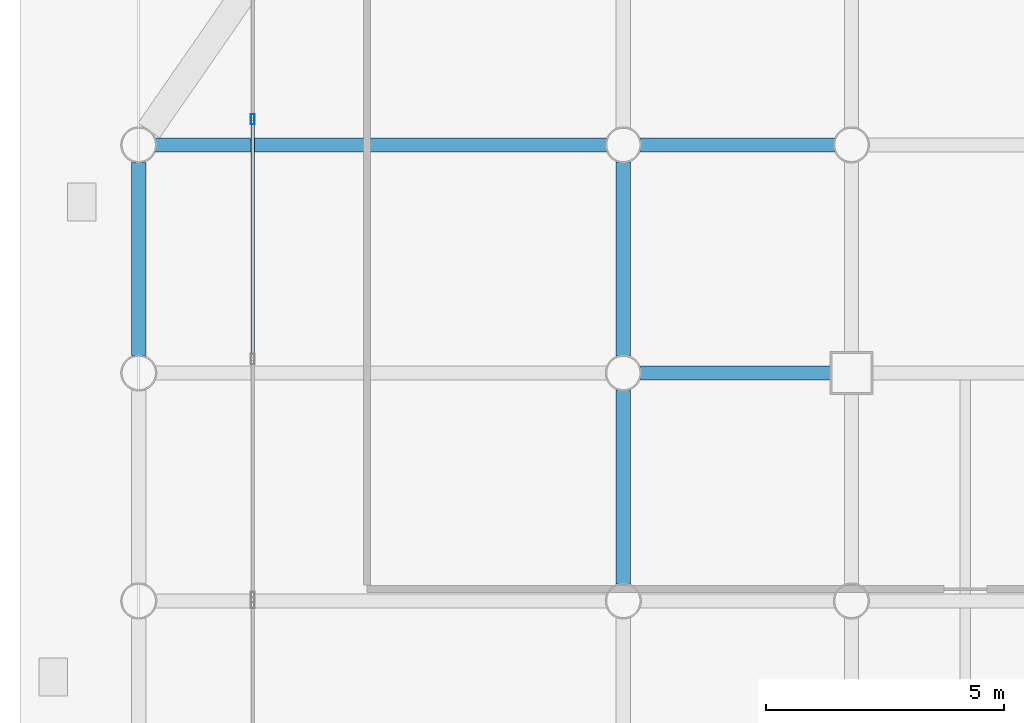
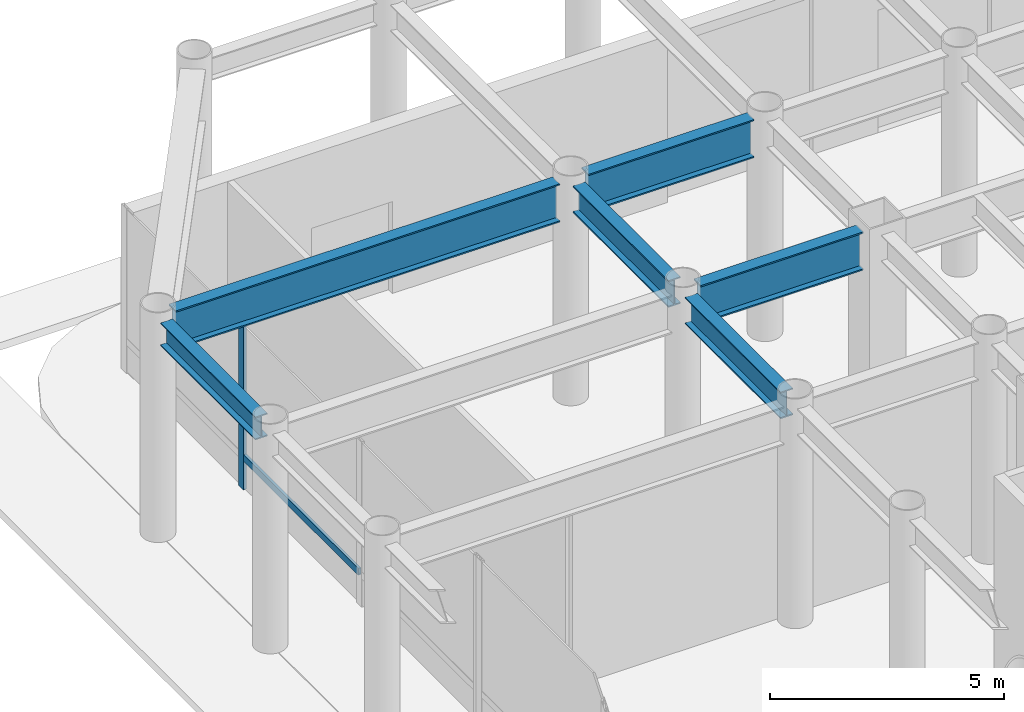
# One storey, part 10 of 23: 6 beams, 2 members, 1 element without a shape of its own.
"""IFC4 building model written with IfcOpenShell, lengths in metres."""

from ifc_helpers import new_model, si_unit, direction, frame, origin, origin_2d, place, context, subcontext, project, spatial, hollow_rectangle, i_section, extrude, material, layer, layer_set, material_profile, profile_set, type_object, element, aggregate, save


model = new_model("IFC4")

# Units and contexts
model_context = context("Model", 3, precision=1e-05, world=origin(), true_north=direction((0.0, 1.0)))
body_context = subcontext(model_context, "Body", "Model", "MODEL_VIEW")
ifc_project = project(units=[si_unit("LENGTHUNIT", "METRE"), si_unit("AREAUNIT", "SQUARE_METRE"), si_unit("VOLUMEUNIT", "CUBIC_METRE"), si_unit("PLANEANGLEUNIT", "RADIAN"), si_unit("MASSUNIT", "GRAM", prefix="KILO")], contexts=[model_context])

# Site, building, storey
site_placement = place(None, origin())
site = spatial("IfcSite", under=ifc_project, at=site_placement, CompositionType="ELEMENT")
building_placement = place(site_placement, origin())
building = spatial("IfcBuilding", under=site, at=building_placement, Name="Kallvorn Hotel Tower", CompositionType="ELEMENT")
storey_placement = place(building_placement, origin())
storey = spatial("IfcBuildingStorey", under=building, at=storey_placement, Name="L00", CompositionType="ELEMENT", Elevation=0.0)

# Beams
ifc_material_1 = material(Name="Structural steel S355JR", Category="steel")
ifc_material_profile_1 = material_profile(ifc_material_1, i_section(OverallWidth=0.300048828125, OverallDepth=1.0, WebThickness=0.01904296875, FlangeThickness=0.035888671875, at=origin_2d()), Name="HE 1000 B")
ifc_profile_set_1 = profile_set([ifc_material_profile_1], Name="Structural steel S355JR")
beam_type_1 = type_object("IfcBeamType", Name="BM_HE1000B", PredefinedType="BEAM", material=ifc_profile_set_1)
beam_1_placement = place(storey_placement, frame((-28.444091796875, 14.39990234375, 5.25), z_axis=(1.0, 0.0, 0.0), x_axis=(0.0, 1.0, 0.0)))
element("IfcBeam", 1, at=beam_1_placement, inside=storey, type_object=beam_type_1, Name="L01 Primary X-Girder 56", PredefinedType="BEAM", context=body_context, shape_type="SweptSolid", body=[
    extrude(i_section(OverallWidth=0.300048828125, OverallDepth=1.0, WebThickness=0.01904296875, FlangeThickness=0.035888671875, at=origin_2d()), origin(), (0.0, 0.0, 1.0), 4.01904296875),
])
beam_2_placement = place(storey_placement, frame((-38.64404296875, 19.199951171875, 5.25), z_axis=(1.0, 0.0, 0.0), x_axis=(0.0, 1.0, 0.0)))
element("IfcBeam", 2, at=beam_2_placement, inside=storey, type_object=beam_type_1, Name="L01 Primary X-Girder 66", PredefinedType="BEAM", context=body_context, shape_type="SweptSolid", body=[
    extrude(i_section(OverallWidth=0.300048828125, OverallDepth=1.0, WebThickness=0.01904296875, FlangeThickness=0.035888671875, at=origin_2d()), origin(), (0.0, 0.0, 1.0), 9.488037109375),
])
beam_3_placement = place(storey_placement, frame((-28.444091796875, 19.199951171875, 5.25), z_axis=(1.0, 0.0, 0.0), x_axis=(0.0, 1.0, 0.0)))
element("IfcBeam", 3, at=beam_3_placement, inside=storey, type_object=beam_type_1, Name="L01 Primary X-Girder 67", PredefinedType="BEAM", context=body_context, shape_type="SweptSolid", body=[
    extrude(i_section(OverallWidth=0.300048828125, OverallDepth=1.0, WebThickness=0.01904296875, FlangeThickness=0.035888671875, at=origin_2d()), origin(), (0.0, 0.0, 1.0), 4.088134765625),
])
ifc_material_2 = material(Name="Structural steel S355JR", Category="steel")
ifc_material_profile_2 = material_profile(ifc_material_2, i_section(OverallWidth=0.300048828125, OverallDepth=0.60009765625, WebThickness=0.015380859375, FlangeThickness=0.030029296875, at=origin_2d()), Name="HE 600 B")
ifc_profile_set_2 = profile_set([ifc_material_profile_2], Name="Structural steel S355JR")
beam_type_2 = type_object("IfcBeamType", Name="BM_HE600B", PredefinedType="SPANDREL", material=ifc_profile_set_2)
beam_4_placement = place(storey_placement, frame((-39.0, 14.77099609375, 5.449951171875), z_axis=(0.0, 1.0, 0.0), x_axis=(-1.0, 0.0, 0.0)))
element("IfcBeam", 4, at=beam_4_placement, inside=storey, type_object=beam_type_2, Name="L01 Perimeter Spandrel 207", PredefinedType="SPANDREL", context=body_context, shape_type="SweptSolid", body=[
    extrude(i_section(OverallWidth=0.300048828125, OverallDepth=0.60009765625, WebThickness=0.015380859375, FlangeThickness=0.030029296875, at=origin_2d()), origin(), (0.0, 0.0, 1.0), 4.05810546875),
])
ifc_material_3 = material(Name="Structural steel S355JR", Category="steel")
ifc_material_profile_3 = material_profile(ifc_material_3, i_section(OverallWidth=0.300048828125, OverallDepth=0.699951171875, WebThickness=0.01708984375, FlangeThickness=0.031982421875, at=origin_2d()), Name="HE 700 B")
ifc_profile_set_3 = profile_set([ifc_material_profile_3], Name="Structural steel S355JR")
beam_type_3 = type_object("IfcBeamType", Name="BM_HE700B", PredefinedType="BEAM", material=ifc_profile_set_3)
for number, where, z_axis, x_axis, name in (
    (5, (-28.800048828125, 9.9560546875, 5.39990234375), (0.0, 1.0, 0.0), (-1.0, 0.0, 0.0), "L01 Primary Y-Girder 87"),
    (6, (-28.800048828125, 14.756103515625, 5.39990234375), (0.0, 1.0, 0.0), (-1.0, 0.0, 0.0), "L01 Primary Y-Girder 88"),
):
    element("IfcBeam", number, at=place(storey_placement, frame(where, z_axis=z_axis, x_axis=x_axis)), inside=storey, type_object=beam_type_3, Name=name, PredefinedType="BEAM", context=body_context, shape_type="SweptSolid", body=[
        extrude(i_section(OverallWidth=0.300048828125, OverallDepth=0.699951171875, WebThickness=0.01708984375, FlangeThickness=0.031982421875, at=origin_2d()), origin(), (0.0, 0.0, 1.0), 4.087890625),
    ])

# Curtain wall, members
ifc_material_4 = material(Name="Thermally broken black-anodised aluminium AA 6063-T6", Category="aluminium")
ifc_layer = layer(ifc_material_4, 0.239990234375)
ifc_layer_set = layer_set([ifc_layer], Name="CW_SYS_1_PODIUM_LOW")
curtain_wall_type = type_object("IfcCurtainWallType", Name="CW_SYS_1_PODIUM_LOW", PredefinedType="USERDEFINED", material=ifc_layer_set)
curtain_wall_placement = place(storey_placement, origin())
curtain_wall = element("IfcCurtainWall", 7, at=curtain_wall_placement, inside=storey, type_object=curtain_wall_type, Name="L00 Dark-Glass Curtain Wall CW-L00-W2", ObjectType="UNITISED CURTAIN WALL", PredefinedType="USERDEFINED")
ifc_material_5 = material(Name="Thermally broken black-anodised aluminium AA 6063-T6", Category="aluminium")
ifc_material_profile_4 = material_profile(ifc_material_5, hollow_rectangle(XDim=0.080078125, YDim=0.219970703125, WallThickness=0.0048828125, at=origin_2d()), Name="MUL 220x80")
ifc_profile_set_4 = profile_set([ifc_material_profile_4], Name="Thermally broken black-anodised aluminium AA 6063-T6")
member_type_1 = type_object("IfcMemberType", Name="CW_MULLION_220x80", PredefinedType="MULLION", material=ifc_profile_set_4)
member_1_placement = place(storey_placement, frame((-36.60009765625, 19.739990234375, 0.02001953125), z_axis=(0.0, 0.0, 1.0), x_axis=(1.0, 0.0, 0.0)))
member_1 = element("IfcMember", 8, at=member_1_placement, type_object=member_type_1, Name="CW-L00-W2 Mullion 02", PredefinedType="MULLION", context=body_context, shape_type="SweptSolid", body=[
    extrude(hollow_rectangle(XDim=0.080078125, YDim=0.219970703125, WallThickness=0.0048828125, at=origin_2d()), origin(), (0.0, 0.0, 1.0), 4.31005859375),
])
ifc_material_6 = material(Name="Thermally broken black-anodised aluminium AA 6063-T6", Category="aluminium")
ifc_material_profile_5 = material_profile(ifc_material_6, hollow_rectangle(XDim=0.070068359375, YDim=0.179931640625, WallThickness=0.00390625, at=origin_2d()), Name="TRN 180x70")
ifc_profile_set_5 = profile_set([ifc_material_profile_5], Name="Thermally broken black-anodised aluminium AA 6063-T6")
member_type_2 = type_object("IfcMemberType", Name="CW_TRANSOM_180x70", PredefinedType="USERDEFINED", material=ifc_profile_set_5)
member_2_placement = place(storey_placement, frame((-36.60009765625, 14.72998046875, 0.85009765625), z_axis=(0.0, 1.0, 0.0), x_axis=(-1.0, 0.0, 0.0)))
member_2 = element("IfcMember", 9, at=member_2_placement, type_object=member_type_2, Name="CW-L00-W2 Transom 01M", ObjectType="TRANSOM", PredefinedType="USERDEFINED", context=body_context, shape_type="SweptSolid", body=[
    extrude(hollow_rectangle(XDim=0.070068359375, YDim=0.179931640625, WallThickness=0.00390625, at=origin_2d()), origin(), (0.0, 0.0, 1.0), 4.969970703125),
])
aggregate(curtain_wall, [member_1, member_2])

save(model, "model.ifc")
